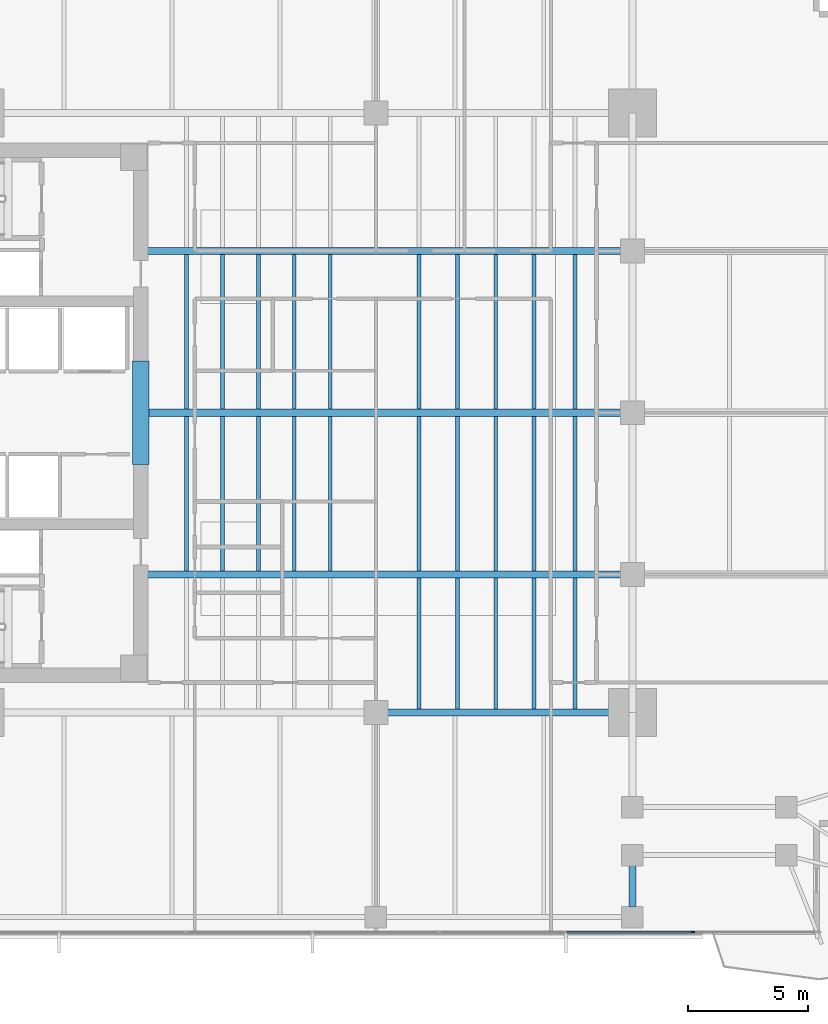
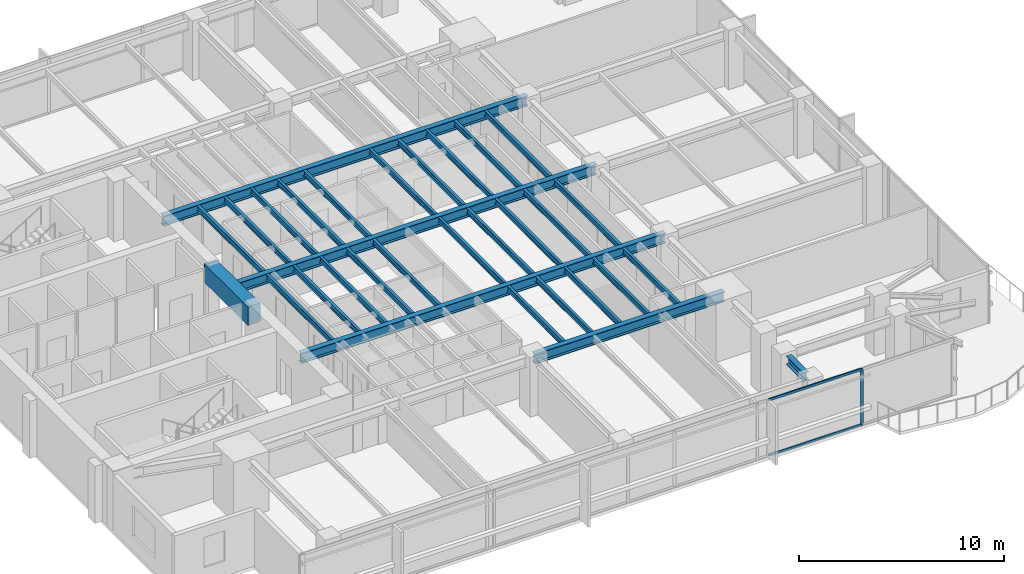
# One storey, part 3 of 14: 31 beams, 3 members, 1 element without a shape of its own.
"""IFC4 building model written with IfcOpenShell, lengths in metres."""

from ifc_helpers import new_model, si_unit, direction, frame, origin, origin_2d, place, context, subcontext, project, spatial, rectangle, i_section, extrude, material, layer, layer_set, material_profile, profile_set, type_object, element, aggregate, save


model = new_model("IFC4")

# Units and contexts
model_context = context("Model", 3, precision=1e-05, world=origin(), true_north=direction((0.0, 1.0)))
body_context = subcontext(model_context, "Body", "Model", "MODEL_VIEW")
ifc_project = project(units=[si_unit("LENGTHUNIT", "METRE"), si_unit("AREAUNIT", "SQUARE_METRE"), si_unit("VOLUMEUNIT", "CUBIC_METRE"), si_unit("PLANEANGLEUNIT", "RADIAN"), si_unit("MASSUNIT", "GRAM", prefix="KILO")], contexts=[model_context])

# Site, building, storey
site_placement = place(None, origin())
site = spatial("IfcSite", under=ifc_project, at=site_placement, CompositionType="ELEMENT")
building_placement = place(site_placement, origin())
building = spatial("IfcBuilding", under=site, at=building_placement, Name="Kinhvarn Gate Tower", CompositionType="ELEMENT")
storey_placement = place(building_placement, frame((0.0, 0.0, 148.39990234375)))
storey = spatial("IfcBuildingStorey", under=building, at=storey_placement, Name="L39", CompositionType="ELEMENT", Elevation=148.39990234375)

# Beam
ifc_material_1 = material(Name="Concrete C70/85", Category="concrete")
ifc_material_profile_1 = material_profile(ifc_material_1, rectangle(XDim=0.699951171875, YDim=1.10009765625, at=origin_2d()), Name="RC 700x1100")
ifc_profile_set_1 = profile_set([ifc_material_profile_1], Name="Concrete C70/85")
beam_type_1 = type_object("IfcBeamType", Name="BM-CB-1100", PredefinedType="LINTEL", material=ifc_profile_set_1)
beam_1_placement = place(storey_placement, frame((17.699951171875, 23.10009765625, 2.820068359375), z_axis=(0.0, 1.0, 0.0), x_axis=(-1.0, 0.0, 0.0)))
element("IfcBeam", 1, at=beam_1_placement, inside=storey, type_object=beam_type_1, Name="Core East Portal Coupling Beam L39", PredefinedType="LINTEL", context=body_context, shape_type="SweptSolid", body=[
    extrude(rectangle(XDim=0.699951171875, YDim=1.10009765625, at=origin_2d()), origin(), (0.0, 0.0, 1.0), 4.2998046875),
])

# Curtain wall, members
ifc_material_2 = material(Name="Anodised aluminium AW-6063", Category="aluminium")
ifc_layer = layer(ifc_material_2, 0.179931640625)
ifc_layer_set = layer_set([ifc_layer], Name="Anodised aluminium AW-6063")
curtain_wall_type = type_object("IfcCurtainWallType", Name="CW-SYS-3", PredefinedType="NOTDEFINED", material=ifc_layer_set)
curtain_wall_placement = place(storey_placement, origin())
curtain_wall = element("IfcCurtainWall", 2, at=curtain_wall_placement, inside=storey, type_object=curtain_wall_type, Name="Curtain Wall CW3 (L39)", PredefinedType="NOTDEFINED")
ifc_material_profile_2 = material_profile(ifc_material_2, rectangle(XDim=0.06494140625, YDim=0.159912109375, at=origin_2d()), Name="ALU 65x160")
ifc_profile_set_2 = profile_set([ifc_material_profile_2], Name="Anodised aluminium AW-6063")
member_type_1 = type_object("IfcMemberType", Name="CW-MUL-160", PredefinedType="MULLION", material=ifc_profile_set_2)
member_1_placement = place(storey_placement, frame((40.71435546875, 3.590087890625, 0.0), z_axis=(0.0, 0.0, 1.0), x_axis=(0.0, 1.0, 0.0)))
member_1 = element("IfcMember", 3, at=member_1_placement, type_object=member_type_1, Name="CW3 mullion 7", PredefinedType="MULLION", context=body_context, shape_type="SweptSolid", body=[
    extrude(rectangle(XDim=0.06494140625, YDim=0.159912109375, at=origin_2d()), origin(), (0.0, 0.0, 1.0), 3.3701171875),
])
ifc_material_profile_3 = material_profile(ifc_material_2, rectangle(XDim=0.070068359375, YDim=0.139892578125, at=origin_2d()), Name="ALU 70x140")
ifc_profile_set_3 = profile_set([ifc_material_profile_3], Name="Anodised aluminium AW-6063")
member_type_2 = type_object("IfcMemberType", Name="CW-TRN-140", PredefinedType="USERDEFINED", material=ifc_profile_set_3)
member_2_placement = place(storey_placement, frame((35.461181640625, 3.590087890625, 0.03515625), z_axis=(1.0, 0.0, 0.0), x_axis=(0.0, 1.0, 0.0)))
member_2 = element("IfcMember", 4, at=member_2_placement, type_object=member_type_2, Name="CW3 transom 6.1", ObjectType="TRANSOM", PredefinedType="USERDEFINED", context=body_context, shape_type="SweptSolid", body=[
    extrude(rectangle(XDim=0.070068359375, YDim=0.139892578125, at=origin_2d()), origin(), (0.0, 0.0, 1.0), 5.220703125),
])
member_3_placement = place(storey_placement, frame((35.461181640625, 3.590087890625, 3.335205078125), z_axis=(1.0, 0.0, 0.0), x_axis=(0.0, 1.0, 0.0)))
member_3 = element("IfcMember", 5, at=member_3_placement, type_object=member_type_2, Name="CW3 transom 6.2", ObjectType="TRANSOM", PredefinedType="USERDEFINED", context=body_context, shape_type="SweptSolid", body=[
    extrude(rectangle(XDim=0.070068359375, YDim=0.139892578125, at=origin_2d()), origin(), (0.0, 0.0, 1.0), 5.220703125),
])
aggregate(curtain_wall, [member_1, member_2, member_3])

# Beams
ifc_material_3 = material(Name="Steel S355", Category="steel")
ifc_material_profile_4 = material_profile(ifc_material_3, i_section(OverallWidth=0.300048828125, OverallDepth=0.5, WebThickness=0.014404296875, FlangeThickness=0.028076171875, at=origin_2d()), Name="HEB 500")
ifc_profile_set_4 = profile_set([ifc_material_profile_4], Name="Steel S355")
beam_type_2 = type_object("IfcBeamType", Name="STL-HEB500", PredefinedType="BEAM", material=ifc_profile_set_4)
beam_2_placement = place(storey_placement, frame((38.199951171875, 4.655029296875, 3.1201171875), z_axis=(0.0, 1.0, 0.0), x_axis=(-1.0, 0.0, 0.0)))
element("IfcBeam", 6, at=beam_2_placement, inside=storey, type_object=beam_type_2, Name="Floor Beam PG-14 (L39 MCE-S-A0)", PredefinedType="BEAM", context=body_context, shape_type="SweptSolid", body=[
    extrude(i_section(OverallWidth=0.300048828125, OverallDepth=0.5, WebThickness=0.014404296875, FlangeThickness=0.028076171875, at=origin_2d()), origin(), (0.0, 0.0, 1.0), 1.7099609375),
])
ifc_material_profile_5 = material_profile(ifc_material_3, i_section(OverallWidth=0.300048828125, OverallDepth=0.60009765625, WebThickness=0.015380859375, FlangeThickness=0.030029296875, at=origin_2d()), Name="HEB 600")
ifc_profile_set_5 = profile_set([ifc_material_profile_5], Name="Steel S355")
beam_type_3 = type_object("IfcBeamType", Name="STL-HEB600", PredefinedType="BEAM", material=ifc_profile_set_5)
beam_3_placement = place(storey_placement, frame((27.5, 12.75, 3.070068359375), z_axis=(1.0, 0.0, 0.0), x_axis=(0.0, 1.0, 0.0)))
element("IfcBeam", 7, at=beam_3_placement, inside=storey, type_object=beam_type_3, Name="Floor Beam PG-16 (L39 MG-S2)", PredefinedType="BEAM", context=body_context, shape_type="SweptSolid", body=[
    extrude(i_section(OverallWidth=0.300048828125, OverallDepth=0.60009765625, WebThickness=0.015380859375, FlangeThickness=0.030029296875, at=origin_2d()), origin(), (0.0, 0.0, 1.0), 10.699951171875),
])
beam_4_placement = place(storey_placement, frame((17.64990234375, 18.5, 3.070068359375), z_axis=(1.0, 0.0, 0.0), x_axis=(0.0, 1.0, 0.0)))
element("IfcBeam", 8, at=beam_4_placement, inside=storey, type_object=beam_type_3, Name="Floor Beam PG-16 (L39 EW1-Y18)", PredefinedType="BEAM", context=body_context, shape_type="SweptSolid", body=[
    extrude(i_section(OverallWidth=0.300048828125, OverallDepth=0.60009765625, WebThickness=0.015380859375, FlangeThickness=0.030029296875, at=origin_2d()), origin(), (0.0, 0.0, 1.0), 20.550048828125),
])
beam_5_placement = place(storey_placement, frame((18.050048828125, 25.25, 3.070068359375), z_axis=(1.0, 0.0, 0.0), x_axis=(0.0, 1.0, 0.0)))
element("IfcBeam", 9, at=beam_5_placement, inside=storey, type_object=beam_type_3, Name="Floor Beam PG-16 (L39 EW1-Y25)", PredefinedType="BEAM", context=body_context, shape_type="SweptSolid", body=[
    extrude(i_section(OverallWidth=0.300048828125, OverallDepth=0.60009765625, WebThickness=0.015380859375, FlangeThickness=0.030029296875, at=origin_2d()), origin(), (0.0, 0.0, 1.0), 20.14990234375),
])
beam_6_placement = place(storey_placement, frame((17.64990234375, 32.0, 3.070068359375), z_axis=(1.0, 0.0, 0.0), x_axis=(0.0, 1.0, 0.0)))
element("IfcBeam", 10, at=beam_6_placement, inside=storey, type_object=beam_type_3, Name="Floor Beam PG-16 (L39 EW1-Y32)", PredefinedType="BEAM", context=body_context, shape_type="SweptSolid", body=[
    extrude(i_section(OverallWidth=0.300048828125, OverallDepth=0.60009765625, WebThickness=0.015380859375, FlangeThickness=0.030029296875, at=origin_2d()), origin(), (0.0, 0.0, 1.0), 20.550048828125),
])
ifc_material_profile_6 = material_profile(ifc_material_3, i_section(OverallWidth=0.159912109375, OverallDepth=0.330078125, WebThickness=0.007568359375, FlangeThickness=0.011474609375, at=origin_2d()), Name="IPE 330")
ifc_profile_set_6 = profile_set([ifc_material_profile_6], Name="Steel S355")
beam_type_4 = type_object("IfcBeamType", Name="STL-IPE330", PredefinedType="JOIST", material=ifc_profile_set_6)
for number, where, z_axis, x_axis, name in (
    (11, (19.60009765625, 18.64990234375, 3.205078125), (0.0, 1.0, 0.0), (-1.0, 0.0, 0.0), "Floor Joist SB-03 (L39 JC-X196-1)"),
    (12, (19.60009765625, 25.39990234375, 3.205078125), (0.0, 1.0, 0.0), (-1.0, 0.0, 0.0), "Floor Joist SB-03 (L39 JC-X196-2)"),
    (13, (21.10009765625, 18.64990234375, 3.205078125), (0.0, 1.0, 0.0), (-1.0, 0.0, 0.0), "Floor Joist SB-03 (L39 JC-X211-1)"),
    (14, (21.10009765625, 25.39990234375, 3.205078125), (0.0, 1.0, 0.0), (-1.0, 0.0, 0.0), "Floor Joist SB-03 (L39 JC-X211-2)"),
    (15, (22.60009765625, 18.64990234375, 3.205078125), (0.0, 1.0, 0.0), (-1.0, 0.0, 0.0), "Floor Joist SB-03 (L39 JC-X226-1)"),
    (16, (22.60009765625, 25.39990234375, 3.205078125), (0.0, 1.0, 0.0), (-1.0, 0.0, 0.0), "Floor Joist SB-03 (L39 JC-X226-2)"),
    (17, (24.10009765625, 18.64990234375, 3.205078125), (0.0, 1.0, 0.0), (-1.0, 0.0, 0.0), "Floor Joist SB-03 (L39 JC-X241-1)"),
    (18, (24.10009765625, 25.39990234375, 3.205078125), (0.0, 1.0, 0.0), (-1.0, 0.0, 0.0), "Floor Joist SB-03 (L39 JC-X241-2)"),
    (19, (25.60009765625, 18.64990234375, 3.205078125), (0.0, 1.0, 0.0), (-1.0, 0.0, 0.0), "Floor Joist SB-03 (L39 JC-X256-1)"),
    (20, (25.60009765625, 25.39990234375, 3.205078125), (0.0, 1.0, 0.0), (-1.0, 0.0, 0.0), "Floor Joist SB-03 (L39 JC-X256-2)"),
):
    element("IfcBeam", number, at=place(storey_placement, frame(where, z_axis=z_axis, x_axis=x_axis)), inside=storey, type_object=beam_type_4, Name=name, PredefinedType="JOIST", context=body_context, shape_type="SweptSolid", body=[
        extrude(i_section(OverallWidth=0.159912109375, OverallDepth=0.330078125, WebThickness=0.007568359375, FlangeThickness=0.011474609375, at=origin_2d()), origin(), (0.0, 0.0, 1.0), 6.4501953125),
    ])
beam_7_placement = place(storey_placement, frame((29.300048828125, 12.89990234375, 3.205078125), z_axis=(0.0, 1.0, 0.0), x_axis=(-1.0, 0.0, 0.0)))
element("IfcBeam", 21, at=beam_7_placement, inside=storey, type_object=beam_type_4, Name="Floor Joist SB-03 (L39 JC-X293-0)", PredefinedType="JOIST", context=body_context, shape_type="SweptSolid", body=[
    extrude(i_section(OverallWidth=0.159912109375, OverallDepth=0.330078125, WebThickness=0.007568359375, FlangeThickness=0.011474609375, at=origin_2d()), origin(), (0.0, 0.0, 1.0), 5.4501953125),
])
for number, where, z_axis, x_axis, name in (
    (22, (29.300048828125, 18.64990234375, 3.205078125), (0.0, 1.0, 0.0), (-1.0, 0.0, 0.0), "Floor Joist SB-03 (L39 JC-X293-1)"),
    (23, (29.300048828125, 25.39990234375, 3.205078125), (0.0, 1.0, 0.0), (-1.0, 0.0, 0.0), "Floor Joist SB-03 (L39 JC-X293-2)"),
):
    element("IfcBeam", number, at=place(storey_placement, frame(where, z_axis=z_axis, x_axis=x_axis)), inside=storey, type_object=beam_type_4, Name=name, PredefinedType="JOIST", context=body_context, shape_type="SweptSolid", body=[
        extrude(i_section(OverallWidth=0.159912109375, OverallDepth=0.330078125, WebThickness=0.007568359375, FlangeThickness=0.011474609375, at=origin_2d()), origin(), (0.0, 0.0, 1.0), 6.4501953125),
    ])
beam_8_placement = place(storey_placement, frame((30.89990234375, 12.89990234375, 3.205078125), z_axis=(0.0, 1.0, 0.0), x_axis=(-1.0, 0.0, 0.0)))
element("IfcBeam", 24, at=beam_8_placement, inside=storey, type_object=beam_type_4, Name="Floor Joist SB-03 (L39 JC-X309-0)", PredefinedType="JOIST", context=body_context, shape_type="SweptSolid", body=[
    extrude(i_section(OverallWidth=0.159912109375, OverallDepth=0.330078125, WebThickness=0.007568359375, FlangeThickness=0.011474609375, at=origin_2d()), origin(), (0.0, 0.0, 1.0), 5.4501953125),
])
for number, where, z_axis, x_axis, name in (
    (25, (30.89990234375, 18.64990234375, 3.205078125), (0.0, 1.0, 0.0), (-1.0, 0.0, 0.0), "Floor Joist SB-03 (L39 JC-X309-1)"),
    (26, (30.89990234375, 25.39990234375, 3.205078125), (0.0, 1.0, 0.0), (-1.0, 0.0, 0.0), "Floor Joist SB-03 (L39 JC-X309-2)"),
):
    element("IfcBeam", number, at=place(storey_placement, frame(where, z_axis=z_axis, x_axis=x_axis)), inside=storey, type_object=beam_type_4, Name=name, PredefinedType="JOIST", context=body_context, shape_type="SweptSolid", body=[
        extrude(i_section(OverallWidth=0.159912109375, OverallDepth=0.330078125, WebThickness=0.007568359375, FlangeThickness=0.011474609375, at=origin_2d()), origin(), (0.0, 0.0, 1.0), 6.4501953125),
    ])
beam_9_placement = place(storey_placement, frame((32.5, 12.89990234375, 3.205078125), z_axis=(0.0, 1.0, 0.0), x_axis=(-1.0, 0.0, 0.0)))
element("IfcBeam", 27, at=beam_9_placement, inside=storey, type_object=beam_type_4, Name="Floor Joist SB-03 (L39 JC-X325-0)", PredefinedType="JOIST", context=body_context, shape_type="SweptSolid", body=[
    extrude(i_section(OverallWidth=0.159912109375, OverallDepth=0.330078125, WebThickness=0.007568359375, FlangeThickness=0.011474609375, at=origin_2d()), origin(), (0.0, 0.0, 1.0), 5.4501953125),
])
for number, where, z_axis, x_axis, name in (
    (28, (32.5, 18.64990234375, 3.205078125), (0.0, 1.0, 0.0), (-1.0, 0.0, 0.0), "Floor Joist SB-03 (L39 JC-X325-1)"),
    (29, (32.5, 25.39990234375, 3.205078125), (0.0, 1.0, 0.0), (-1.0, 0.0, 0.0), "Floor Joist SB-03 (L39 JC-X325-2)"),
):
    element("IfcBeam", number, at=place(storey_placement, frame(where, z_axis=z_axis, x_axis=x_axis)), inside=storey, type_object=beam_type_4, Name=name, PredefinedType="JOIST", context=body_context, shape_type="SweptSolid", body=[
        extrude(i_section(OverallWidth=0.159912109375, OverallDepth=0.330078125, WebThickness=0.007568359375, FlangeThickness=0.011474609375, at=origin_2d()), origin(), (0.0, 0.0, 1.0), 6.4501953125),
    ])
beam_10_placement = place(storey_placement, frame((34.10009765625, 12.89990234375, 3.205078125), z_axis=(0.0, 1.0, 0.0), x_axis=(-1.0, 0.0, 0.0)))
element("IfcBeam", 30, at=beam_10_placement, inside=storey, type_object=beam_type_4, Name="Floor Joist SB-03 (L39 JC-X341-0)", PredefinedType="JOIST", context=body_context, shape_type="SweptSolid", body=[
    extrude(i_section(OverallWidth=0.159912109375, OverallDepth=0.330078125, WebThickness=0.007568359375, FlangeThickness=0.011474609375, at=origin_2d()), origin(), (0.0, 0.0, 1.0), 5.4501953125),
])
for number, where, z_axis, x_axis, name in (
    (31, (34.10009765625, 18.64990234375, 3.205078125), (0.0, 1.0, 0.0), (-1.0, 0.0, 0.0), "Floor Joist SB-03 (L39 JC-X341-1)"),
    (32, (34.10009765625, 25.39990234375, 3.205078125), (0.0, 1.0, 0.0), (-1.0, 0.0, 0.0), "Floor Joist SB-03 (L39 JC-X341-2)"),
):
    element("IfcBeam", number, at=place(storey_placement, frame(where, z_axis=z_axis, x_axis=x_axis)), inside=storey, type_object=beam_type_4, Name=name, PredefinedType="JOIST", context=body_context, shape_type="SweptSolid", body=[
        extrude(i_section(OverallWidth=0.159912109375, OverallDepth=0.330078125, WebThickness=0.007568359375, FlangeThickness=0.011474609375, at=origin_2d()), origin(), (0.0, 0.0, 1.0), 6.4501953125),
    ])
beam_11_placement = place(storey_placement, frame((35.800048828125, 12.89990234375, 3.205078125), z_axis=(0.0, 1.0, 0.0), x_axis=(-1.0, 0.0, 0.0)))
element("IfcBeam", 33, at=beam_11_placement, inside=storey, type_object=beam_type_4, Name="Floor Joist SB-03 (L39 JC-X358-0)", PredefinedType="JOIST", context=body_context, shape_type="SweptSolid", body=[
    extrude(i_section(OverallWidth=0.159912109375, OverallDepth=0.330078125, WebThickness=0.007568359375, FlangeThickness=0.011474609375, at=origin_2d()), origin(), (0.0, 0.0, 1.0), 5.4501953125),
])
for number, where, z_axis, x_axis, name in (
    (34, (35.800048828125, 18.64990234375, 3.205078125), (0.0, 1.0, 0.0), (-1.0, 0.0, 0.0), "Floor Joist SB-03 (L39 JC-X358-1)"),
    (35, (35.800048828125, 25.39990234375, 3.205078125), (0.0, 1.0, 0.0), (-1.0, 0.0, 0.0), "Floor Joist SB-03 (L39 JC-X358-2)"),
):
    element("IfcBeam", number, at=place(storey_placement, frame(where, z_axis=z_axis, x_axis=x_axis)), inside=storey, type_object=beam_type_4, Name=name, PredefinedType="JOIST", context=body_context, shape_type="SweptSolid", body=[
        extrude(i_section(OverallWidth=0.159912109375, OverallDepth=0.330078125, WebThickness=0.007568359375, FlangeThickness=0.011474609375, at=origin_2d()), origin(), (0.0, 0.0, 1.0), 6.4501953125),
    ])

save(model, "model.ifc")
